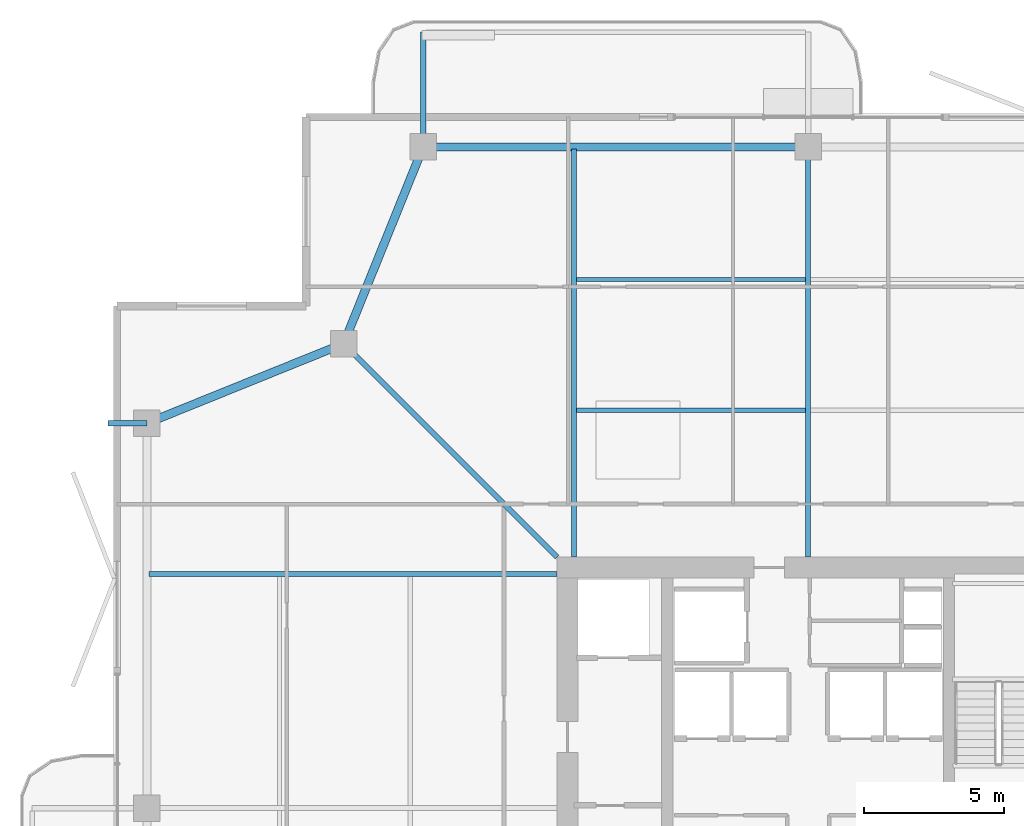
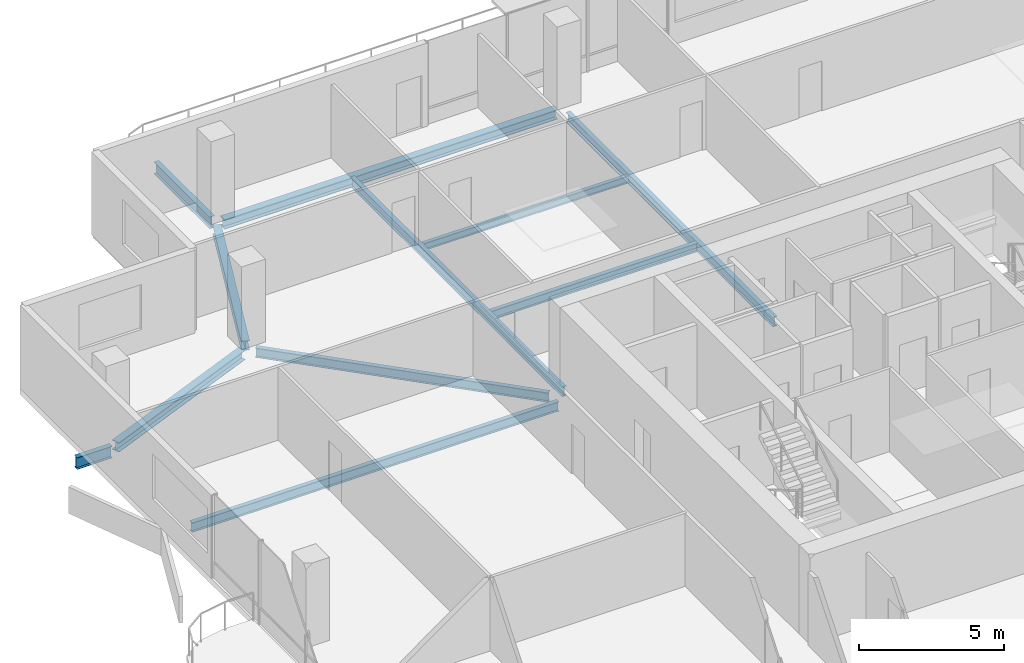
# One storey, part 12 of 25: 11 beams.
"""IFC4 building model written with IfcOpenShell, lengths in metres."""

from ifc_helpers import new_model, si_unit, direction, frame, origin, origin_2d, place, context, subcontext, project, spatial, i_section, extrude, material, material_profile, profile_set, type_object, element, save


model = new_model("IFC4")

# Units and contexts
model_context = context("Model", 3, precision=1e-05, world=origin(), true_north=direction((0.0, 1.0)))
body_context = subcontext(model_context, "Body", "Model", "MODEL_VIEW")
ifc_project = project(units=[si_unit("LENGTHUNIT", "METRE"), si_unit("AREAUNIT", "SQUARE_METRE"), si_unit("VOLUMEUNIT", "CUBIC_METRE"), si_unit("PLANEANGLEUNIT", "RADIAN"), si_unit("MASSUNIT", "GRAM", prefix="KILO")], contexts=[model_context])

# Site, building, storey
site_placement = place(None, origin())
site = spatial("IfcSite", under=ifc_project, at=site_placement, CompositionType="ELEMENT")
building_placement = place(site_placement, origin())
building = spatial("IfcBuilding", under=site, at=building_placement, Name="Belovzor Exchange Tower", CompositionType="ELEMENT")
storey_placement = place(building_placement, frame((0.0, 0.0, 269.10009765625)))
storey = spatial("IfcBuildingStorey", under=building, at=storey_placement, Name="L67", CompositionType="ELEMENT", Elevation=269.10009765625)

# Beams
ifc_material_1 = material(Name="Steel S355", Category="steel")
ifc_material_profile_1 = material_profile(ifc_material_1, i_section(OverallWidth=0.199951171875, OverallDepth=0.5, WebThickness=0.01025390625, FlangeThickness=0.01611328125, at=origin_2d()))
ifc_profile_set_1 = profile_set([ifc_material_profile_1], Name="Steel S355")
beam_type_1 = type_object("IfcBeamType", Name="Planted Balcony Cantilever Beam IPE 500", PredefinedType="BEAM", material=ifc_profile_set_1)
beam_1_placement = place(storey_placement, frame((15.0, 52.760986328125, -0.5), z_axis=(0.0, 1.0, 0.0), x_axis=(-1.0, 0.0, 0.0)))
element("IfcBeam", 1, at=beam_1_placement, inside=storey, type_object=beam_type_1, Name="BC-500 Planted Balcony Cantilever Beam IPE 500", PredefinedType="BEAM", context=body_context, shape_type="SweptSolid", body=[
    extrude(i_section(OverallWidth=0.199951171875, OverallDepth=0.5, WebThickness=0.01025390625, FlangeThickness=0.01611328125, at=origin_2d()), origin(), (0.0, 0.0, 1.0), 3.85009765625),
])
beam_2_placement = place(storey_placement, frame((5.10009765625, 42.60009765625, -0.5), z_axis=(-1.0, 0.0, 0.0), x_axis=(0.0, -1.0, 0.0)))
element("IfcBeam", 2, at=beam_2_placement, inside=storey, type_object=beam_type_1, Name="BC-500 Planted Balcony Cantilever Beam IPE 500", PredefinedType="BEAM", context=body_context, shape_type="SweptSolid", body=[
    extrude(i_section(OverallWidth=0.199951171875, OverallDepth=0.5, WebThickness=0.01025390625, FlangeThickness=0.01611328125, at=origin_2d()), origin(), (0.0, 0.0, 1.0), 1.400146484375),
])
ifc_material_2 = material(Name="Steel S355", Category="steel")
ifc_material_profile_2 = material_profile(ifc_material_2, i_section(OverallWidth=0.169921875, OverallDepth=0.360107421875, WebThickness=0.008056640625, FlangeThickness=0.0126953125, at=origin_2d()))
ifc_profile_set_2 = profile_set([ifc_material_profile_2], Name="Steel S355")
beam_type_2 = type_object("IfcBeamType", Name="Secondary Infill Floor Joist IPE 360", PredefinedType="BEAM", material=ifc_profile_set_2)
beam_3_placement = place(storey_placement, frame((20.489990234375, 43.06494140625, -0.43017578125), z_axis=(1.0, 0.0, 0.0), x_axis=(0.0, 1.0, 0.0)))
element("IfcBeam", 3, at=beam_3_placement, inside=storey, type_object=beam_type_2, Name="FJ-360 Secondary Infill Floor Joist IPE 360", PredefinedType="BEAM", context=body_context, shape_type="SweptSolid", body=[
    extrude(i_section(OverallWidth=0.169921875, OverallDepth=0.360107421875, WebThickness=0.008056640625, FlangeThickness=0.0126953125, at=origin_2d()), origin(), (0.0, 0.0, 1.0), 8.219970703125),
])
ifc_material_3 = material(Name="Steel S355", Category="steel")
ifc_material_profile_3 = material_profile(ifc_material_3, i_section(OverallWidth=0.14990234375, OverallDepth=0.300048828125, WebThickness=0.007080078125, FlangeThickness=0.0107421875, at=origin_2d()))
ifc_profile_set_3 = profile_set([ifc_material_profile_3], Name="Steel S355")
beam_type_3 = type_object("IfcBeamType", Name="Secondary Trim Floor Joist IPE 300", PredefinedType="BEAM", material=ifc_profile_set_3)
beam_4_placement = place(storey_placement, frame((20.489990234375, 47.7451171875, -0.400146484375), z_axis=(1.0, 0.0, 0.0), x_axis=(0.0, 1.0, 0.0)))
element("IfcBeam", 4, at=beam_4_placement, inside=storey, type_object=beam_type_3, Name="FJ-300 Secondary Trim Floor Joist IPE 300", PredefinedType="BEAM", context=body_context, shape_type="SweptSolid", body=[
    extrude(i_section(OverallWidth=0.14990234375, OverallDepth=0.300048828125, WebThickness=0.007080078125, FlangeThickness=0.0107421875, at=origin_2d()), origin(), (0.0, 0.0, 1.0), 8.219970703125),
])
ifc_material_4 = material(Name="Steel S355", Category="steel")
ifc_material_profile_4 = material_profile(ifc_material_4, i_section(OverallWidth=0.300048828125, OverallDepth=0.39990234375, WebThickness=0.013427734375, FlangeThickness=0.02392578125, at=origin_2d()))
ifc_profile_set_4 = profile_set([ifc_material_profile_4], Name="Steel S355")
beam_type_4 = type_object("IfcBeamType", Name="Zone 5 Primary Girder HEB 400", PredefinedType="BEAM", material=ifc_profile_set_4)
beam_5_placement = place(storey_placement, frame((28.5390625, 52.5, -0.4501953125), z_axis=(-1.0, 0.0, 0.0), x_axis=(0.0, -1.0, 0.0)))
element("IfcBeam", 5, at=beam_5_placement, inside=storey, type_object=beam_type_4, Name="FG-Z5 Zone 5 Primary Girder HEB 400", PredefinedType="BEAM", context=body_context, shape_type="SweptSolid", body=[
    extrude(i_section(OverallWidth=0.300048828125, OverallDepth=0.39990234375, WebThickness=0.013427734375, FlangeThickness=0.02392578125, at=origin_2d()), origin(), (0.0, 0.0, 1.0), 13.278076171875),
])
beam_6_placement = place(storey_placement, frame((14.902099609375, 52.258056640625, -0.4501953125), z_axis=(-0.374746306278, -0.927127394661, 0.0), x_axis=(0.927127394661, -0.374746306278, 0.0)))
element("IfcBeam", 6, at=beam_6_placement, inside=storey, type_object=beam_type_4, Name="FG-Z5 Zone 5 Primary Girder HEB 400", PredefinedType="BEAM", context=body_context, shape_type="SweptSolid", body=[
    extrude(i_section(OverallWidth=0.300048828125, OverallDepth=0.39990234375, WebThickness=0.013427734375, FlangeThickness=0.02392578125, at=origin_2d()), origin(), (0.0, 0.0, 1.0), 7.082275390625),
])
beam_7_placement = place(storey_placement, frame((11.907958984375, 45.35205078125, -0.4501953125), z_axis=(-0.927122553345, -0.374758283536, 0.0), x_axis=(0.374758283536, -0.927122553345, 0.0)))
element("IfcBeam", 7, at=beam_7_placement, inside=storey, type_object=beam_type_4, Name="FG-Z5 Zone 5 Primary Girder HEB 400", PredefinedType="BEAM", context=body_context, shape_type="SweptSolid", body=[
    extrude(i_section(OverallWidth=0.300048828125, OverallDepth=0.39990234375, WebThickness=0.013427734375, FlangeThickness=0.02392578125, at=origin_2d()), origin(), (0.0, 0.0, 1.0), 7.08203125),
])
ifc_material_5 = material(Name="Steel S355", Category="steel")
ifc_material_profile_5 = material_profile(ifc_material_5, i_section(OverallWidth=0.179931640625, OverallDepth=0.39990234375, WebThickness=0.008544921875, FlangeThickness=0.013427734375, at=origin_2d()))
ifc_profile_set_5 = profile_set([ifc_material_profile_5], Name="Steel S355")
beam_type_5 = type_object("IfcBeamType", Name="Zone 5-6 Radial Composite Floor Beam IPE 400", PredefinedType="BEAM", material=ifc_profile_set_5)
beam_8_placement = place(storey_placement, frame((20.39990234375, 37.800048828125, -0.4501953125), z_axis=(0.0, 1.0, 0.0), x_axis=(-1.0, 0.0, 0.0)))
element("IfcBeam", 8, at=beam_8_placement, inside=storey, type_object=beam_type_5, Name="FB-400 Zone 5-6 Radial Composite Floor Beam IPE 400", PredefinedType="BEAM", context=body_context, shape_type="SweptSolid", body=[
    extrude(i_section(OverallWidth=0.179931640625, OverallDepth=0.39990234375, WebThickness=0.008544921875, FlangeThickness=0.013427734375, at=origin_2d()), origin(), (0.0, 0.0, 1.0), 14.625),
])
beam_9_placement = place(storey_placement, frame((28.800048828125, 37.800048828125, -0.4501953125), z_axis=(0.0, 1.0, 0.0), x_axis=(-1.0, 0.0, 0.0)))
element("IfcBeam", 9, at=beam_9_placement, inside=storey, type_object=beam_type_5, Name="FB-400 Zone 5-6 Radial Composite Floor Beam IPE 400", PredefinedType="BEAM", context=body_context, shape_type="SweptSolid", body=[
    extrude(i_section(OverallWidth=0.179931640625, OverallDepth=0.39990234375, WebThickness=0.008544921875, FlangeThickness=0.013427734375, at=origin_2d()), origin(), (0.0, 0.0, 1.0), 14.281982421875),
])
beam_10_placement = place(storey_placement, frame((19.800048828125, 37.199951171875, -0.4501953125), z_axis=(-1.0, 0.0, 0.0), x_axis=(0.0, -1.0, 0.0)))
element("IfcBeam", 10, at=beam_10_placement, inside=storey, type_object=beam_type_5, Name="FB-400 Zone 5-6 Radial Composite Floor Beam IPE 400", PredefinedType="BEAM", context=body_context, shape_type="SweptSolid", body=[
    extrude(i_section(OverallWidth=0.179931640625, OverallDepth=0.39990234375, WebThickness=0.008544921875, FlangeThickness=0.013427734375, at=origin_2d()), origin(), (0.0, 0.0, 1.0), 14.625),
])
beam_11_placement = place(storey_placement, frame((19.800048828125, 37.800048828125, -0.4501953125), z_axis=(-0.707071845944, 0.707141714703, 0.0), x_axis=(-0.707141714703, -0.707071845944, 0.0)))
element("IfcBeam", 11, at=beam_11_placement, inside=storey, type_object=beam_type_5, Name="FB-400 Zone 5-6 Radial Composite Floor Beam IPE 400", PredefinedType="BEAM", context=body_context, shape_type="SweptSolid", body=[
    extrude(i_section(OverallWidth=0.179931640625, OverallDepth=0.39990234375, WebThickness=0.008544921875, FlangeThickness=0.013427734375, at=origin_2d()), origin(), (0.0, 0.0, 1.0), 10.48291015625),
])

save(model, "model.ifc")
